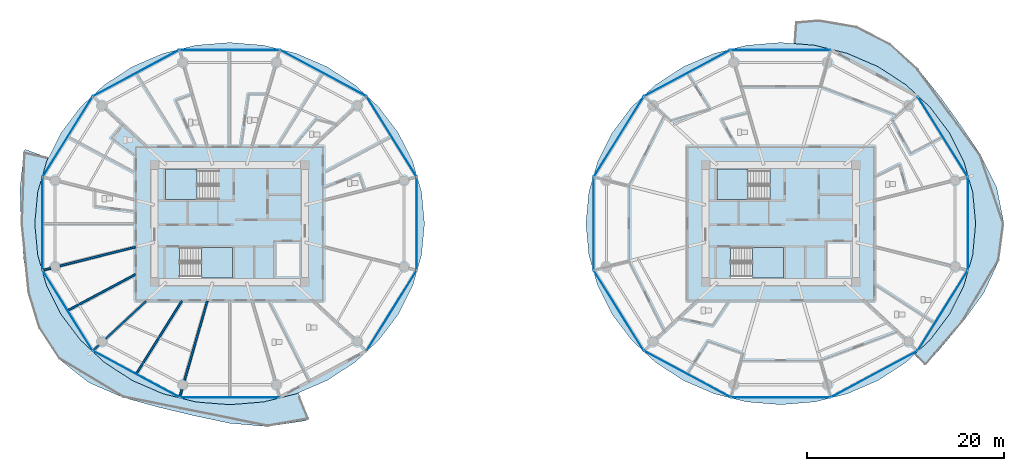
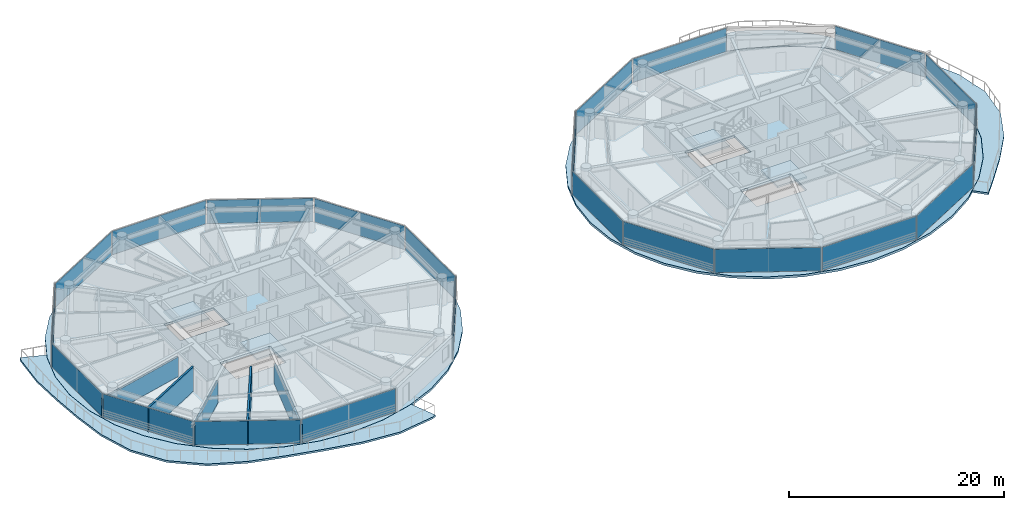
# One storey, part 14 of 31: 22 plates, 8 slabs, 5 walls, 26 elements without a shape of their own.
"""IFC4 building model written with IfcOpenShell, lengths in metres."""

import ifcopenshell
import ifcopenshell.guid

model = None  # the IFC model being written
_history = None  # IfcOwnerHistory: only IFC2X3 demands one
_inside = {}  # id of a spatial element -> (the spatial element, [elements in it])
_under = {}  # id of a project, library or spatial element -> (it, [spatial elements below it])
_declared = {}  # id of a project -> (the project, [libraries it declares])
_typed = {}  # id of a type object -> (the type object, [elements of that type])
_made_of = {}  # id of a material, layer set ... -> (it, [elements and type objects made of it])


def new_model(schema):
    """Start an empty IFC model of exactly this schema.

    Asked for "IFC4X3", IfcOpenShell would pick the latest addendum, in which some entities
    have other attributes; the version numbers below select the first issue.
    IFC2X3 requires an IfcOwnerHistory on every rooted entity: one is made here for all.
    """
    global model, _history
    if schema == "IFC4X3":
        model = ifcopenshell.file(schema_version=(4, 3, 0, 0))
    else:
        model = ifcopenshell.file(schema=schema)
    _inside.clear()
    _under.clear()
    _declared.clear()
    _typed.clear()
    _made_of.clear()
    _history = None
    if model.schema == "IFC2X3":
        org = make("IfcOrganization", Name="unknown")
        user = make(
            "IfcPersonAndOrganization",
            ThePerson=make("IfcPerson", FamilyName="unknown"),
            TheOrganization=org,
        )
        app = make(
            "IfcApplication",
            ApplicationDeveloper=org,
            Version="unknown",
            ApplicationFullName="unknown",
            ApplicationIdentifier="unknown",
        )
        _history = make(
            "IfcOwnerHistory",
            OwningUser=user,
            OwningApplication=app,
            ChangeAction="ADDED",
            CreationDate=0,
        )
    return model


def make(cls, **values):
    """One entity of the class cls with the attributes given. An attribute that is None is left unset."""
    return model.create_entity(
        cls, **{name: value for name, value in values.items() if value is not None}
    )


def rooted(cls, **values):
    """An entity with a GlobalId (a new one), such as an element, a storey or a relation."""
    return make(cls, GlobalId=ifcopenshell.guid.new(), OwnerHistory=_history, **values)


def si_unit(unit_type, name, prefix=None):
    """IfcSIUnit, for example si_unit("LENGTHUNIT", "METRE", prefix="MILLI")."""
    return make("IfcSIUnit", UnitType=unit_type, Prefix=prefix, Name=name)


def assignment(units):
    """IfcUnitAssignment: the units of a project."""
    return None if units is None else make("IfcUnitAssignment", Units=units)


def point(xyz):
    """IfcCartesianPoint."""
    return None if xyz is None else make("IfcCartesianPoint", Coordinates=xyz)


def direction(xyz):
    """IfcDirection."""
    return None if xyz is None else make("IfcDirection", DirectionRatios=xyz)


def frame(location, z_axis=None, x_axis=None):
    """IfcAxis2Placement3D, a coordinate frame: its origin and axes. An axis left out is left unset."""
    return make(
        "IfcAxis2Placement3D",
        Location=point(location),
        Axis=direction(z_axis),
        RefDirection=direction(x_axis),
    )


def frame_2d(location, x_axis=None):
    """IfcAxis2Placement2D, a coordinate frame in the plane: its origin and x axis."""
    return make(
        "IfcAxis2Placement2D", Location=point(location), RefDirection=direction(x_axis)
    )


def origin():
    """The frame at (0, 0, 0) with its axes left unset."""
    return frame((0.0, 0.0, 0.0))


def origin_2d():
    """The frame at (0, 0) in the plane with its x axis left unset."""
    return frame_2d((0.0, 0.0))


def place(relative_to, where):
    """IfcLocalPlacement: puts the frame where relative to a parent placement (None: the world)."""
    return make(
        "IfcLocalPlacement", PlacementRelTo=relative_to, RelativePlacement=where
    )


def context(
    kind, dimensions, precision=None, world=None, true_north=None, identifier=None
):
    """IfcGeometricRepresentationContext, for example the 3D "Model" context."""
    return make(
        "IfcGeometricRepresentationContext",
        ContextIdentifier=identifier,
        ContextType=kind,
        CoordinateSpaceDimension=dimensions,
        Precision=precision,
        WorldCoordinateSystem=world,
        TrueNorth=true_north,
    )


def subcontext(parent, identifier, kind, view, scale=None):
    """IfcGeometricRepresentationSubContext, for example "Body" below "Model"."""
    return make(
        "IfcGeometricRepresentationSubContext",
        ContextIdentifier=identifier,
        ContextType=kind,
        ParentContext=parent,
        TargetScale=scale,
        TargetView=view,
    )


def project(units=None, contexts=None):
    """IfcProject with its units and contexts."""
    return rooted(
        "IfcProject",
        Name="project",
        RepresentationContexts=contexts,
        UnitsInContext=assignment(units),
    )


def spatial(cls, under=None, at=None, **own):
    """A site, building, storey or space (cls), placed at a placement, below another one or the project."""
    s = rooted(cls, ObjectPlacement=at, **own)
    if under is not None:
        _under.setdefault(under.id(), (under, []))[1].append(s)
    return s


def polyline(points):
    """IfcPolyline through the points."""
    return make("IfcPolyline", Points=[point(p) for p in points])


def profile(cls, at=None, kind="AREA", **sizes):
    """A parametric profile (cls). Its sizes go by their IFC names, for example OverallWidth=200.0."""
    return make(cls, ProfileType=kind, Position=at, **sizes)


def rectangle(**sizes):
    """IfcRectangleProfileDef."""
    return profile("IfcRectangleProfileDef", **sizes)


def outline(outer, holes=None, kind="AREA"):
    """IfcArbitraryClosedProfileDef: a profile drawn as a closed curve; with holes, ...WithVoids."""
    if holes is None:
        return make("IfcArbitraryClosedProfileDef", ProfileType=kind, OuterCurve=outer)
    return make(
        "IfcArbitraryProfileDefWithVoids",
        ProfileType=kind,
        OuterCurve=outer,
        InnerCurves=holes,
    )


def extrude(swept, where, along, depth):
    """IfcExtrudedAreaSolid: the profile swept, set in the frame where, extruded along a direction by depth."""
    return make(
        "IfcExtrudedAreaSolid",
        SweptArea=swept,
        Position=where,
        ExtrudedDirection=direction(along),
        Depth=depth,
    )


def shape(context_of_items, identifier, shape_type, items):
    """IfcShapeRepresentation: the items that make up one representation, for example the "Body"."""
    return make(
        "IfcShapeRepresentation",
        ContextOfItems=context_of_items,
        RepresentationIdentifier=identifier,
        RepresentationType=shape_type,
        Items=items,
    )


def source(mapping_origin, context_of_items, identifier, shape_type, items):
    """IfcRepresentationMap: a shape defined once, which mapped items show again and again."""
    return make(
        "IfcRepresentationMap",
        MappingOrigin=mapping_origin,
        MappedRepresentation=shape(context_of_items, identifier, shape_type, items),
    )


def transform(
    local_origin,
    x_axis=None,
    y_axis=None,
    z_axis=None,
    scale=None,
    scale2=None,
    scale3=None,
    uniform=True,
):
    """IfcCartesianTransformationOperator3D, or its non-uniform kind. x_axis, y_axis, z_axis: its Axis1, 2, 3."""
    if uniform:
        return make(
            "IfcCartesianTransformationOperator3D",
            Axis1=direction(x_axis),
            Axis2=direction(y_axis),
            LocalOrigin=point(local_origin),
            Scale=scale,
            Axis3=direction(z_axis),
        )
    return make(
        "IfcCartesianTransformationOperator3DnonUniform",
        Axis1=direction(x_axis),
        Axis2=direction(y_axis),
        LocalOrigin=point(local_origin),
        Scale=scale,
        Axis3=direction(z_axis),
        Scale2=scale2,
        Scale3=scale3,
    )


def mapped(mapping_source, mapping_target):
    """IfcMappedItem: shows the shape of a source again, moved by a transform."""
    return make(
        "IfcMappedItem", MappingSource=mapping_source, MappingTarget=mapping_target
    )


def material(Name=None, Category=None):
    """IfcMaterial."""
    return make("IfcMaterial", Name=Name, Category=Category)


def layer(
    of_material, thickness, ventilated=None, Name=None, Category=None, Priority=None
):
    """IfcMaterialLayer: one layer of a wall or slab, of a material (None: an air gap)."""
    return make(
        "IfcMaterialLayer",
        Material=of_material,
        LayerThickness=thickness,
        IsVentilated=ventilated,
        Name=Name,
        Category=Category,
        Priority=Priority,
    )


def layer_set(layers, Name=None):
    """IfcMaterialLayerSet."""
    return make("IfcMaterialLayerSet", MaterialLayers=layers, LayerSetName=Name)


def made_of(thing, what):
    """Note that an element or type object is made of a material, layer set ...; save() writes the relation."""
    if what is not None:
        _made_of.setdefault(what.id(), (what, []))[1].append(thing)
    return thing


def type_object(cls, material=None, **own):
    """A type object (cls), such as IfcWallType, which elements share."""
    return made_of(rooted(cls, **own), material)


def type_shapes(of_type, sources):
    """Give a type object the sources (RepresentationMaps) that its elements show as mapped items."""
    of_type.RepresentationMaps = sources


def element(
    cls,
    number,
    at=None,
    inside=None,
    cuts=None,
    type_object=None,
    material=None,
    context=None,
    identifier="Body",
    shape_type=None,
    held_by="IfcProductDefinitionShape",
    body=None,
    shapes=None,
    **own,
):
    """One element of the class cls, such as IfcWall. Its Tag is "e" and its number.

    at: its placement. inside: the storey or other place that contains it. cuts: it is an
    opening in that element (IfcRelVoidsElement). A single representation is given by context,
    identifier, shape_type and body (its items); several are given by shapes. held_by: the class
    of the entity that holds the representations. save() writes the other relations.
    """
    e = rooted(cls, Tag="e%d" % number, ObjectPlacement=at, **own)
    if body is not None:
        shapes = [shape(context, identifier, shape_type, body)]
    if shapes is not None:
        e.Representation = make(held_by, Representations=shapes)
    if inside is not None:
        _inside.setdefault(inside.id(), (inside, []))[1].append(e)
    if cuts is not None:
        rooted(
            "IfcRelVoidsElement", RelatingBuildingElement=cuts, RelatedOpeningElement=e
        )
    if type_object is not None:
        _typed.setdefault(type_object.id(), (type_object, []))[1].append(e)
    return made_of(e, material)


def aggregate(whole, parts):
    """IfcRelAggregates: a whole, such as a stair, and the parts it consists of."""
    return rooted("IfcRelAggregates", RelatingObject=whole, RelatedObjects=parts)


def save(model, path):
    """Write the relations noted so far, then the file.

    IfcRelAggregates (storeys below a building ...), IfcRelContainedInSpatialStructure (elements
    in a storey), IfcRelDefinesByType, IfcRelAssociatesMaterial and IfcRelDeclares: one each for
    every whole, place, type object, material and project.
    """
    for whole, parts in _under.values():
        aggregate(whole, parts)
    for where, things in _inside.values():
        rooted(
            "IfcRelContainedInSpatialStructure",
            RelatedElements=things,
            RelatingStructure=where,
        )
    for kind, things in _typed.values():
        rooted("IfcRelDefinesByType", RelatedObjects=things, RelatingType=kind)
    for what, things in _made_of.values():
        rooted("IfcRelAssociatesMaterial", RelatedObjects=things, RelatingMaterial=what)
    for by, libraries in _declared.values():
        rooted("IfcRelDeclares", RelatingContext=by, RelatedDefinitions=libraries)
    model.write(path)


model = new_model("IFC4")

# Units and contexts
model_context = context("Model", 3, precision=1e-05, world=origin(), true_north=direction((0.0, 1.0)))
body_context = subcontext(model_context, "Body", "Model", "MODEL_VIEW")
ifc_project = project(units=[si_unit("LENGTHUNIT", "METRE"), si_unit("AREAUNIT", "SQUARE_METRE"), si_unit("VOLUMEUNIT", "CUBIC_METRE"), si_unit("PLANEANGLEUNIT", "RADIAN"), si_unit("MASSUNIT", "GRAM", prefix="KILO")], contexts=[model_context])

# Site, building, storey
site_placement = place(None, origin())
site = spatial("IfcSite", under=ifc_project, at=site_placement, CompositionType="ELEMENT")
building_placement = place(site_placement, origin())
building = spatial("IfcBuilding", under=site, at=building_placement, Name="Norrkilde Senior Care Towers", CompositionType="ELEMENT")
storey_placement = place(building_placement, frame((0.0, 0.0, 42.949951171875)))
storey = spatial("IfcBuildingStorey", under=building, at=storey_placement, Name="L12", CompositionType="ELEMENT", Elevation=42.949951171875)

# Slabs
ifc_material_1 = material(Name="Concrete C50/60", Category="concrete")
ifc_layer_1 = layer(ifc_material_1, 0.215087890625)
ifc_layer_set_1 = layer_set([ifc_layer_1], Name="Concrete C50/60")
slab_type_1 = type_object("IfcSlabType", Name="Sinusoidal Balcony Ribbon Slab 215", PredefinedType="FLOOR", material=ifc_layer_set_1)
slab_1_placement = place(storey_placement, frame((0.0, 0.0, -0.21484375)))
element("IfcSlab", 1, at=slab_1_placement, inside=storey, type_object=slab_type_1, Name="L12 Drum W Swirling Senior Balcony 1", PredefinedType="FLOOR", context=body_context, shape_type="SweptSolid", body=[
    extrude(outline(polyline([(-24.15185546875, -20.622802734375), (-28.0, -20.285400390625), (-31.665771484375, -19.50830078125), (-35.233642578125, -18.655029296875), (-38.828369140625, -17.665283203125), (-42.327392578125, -16.147216796875), (-45.31982421875, -13.7705078125), (-47.392822265625, -10.594970703125), (-48.484130859375, -7.02880859375), (-48.941162109375, -3.46875), (-49.18798828125, 0.0), (-49.3017578125, 3.537109375), (-48.92333984375, 7.200927734375), (-48.792236328125, 7.54833984375), (-46.414794921875, 6.685302734375), (-46.610595703125, 6.294921875), (-47.504150390625, 3.196044921875), (-47.804931640625, 0.0), (-47.504150390625, -3.196044921875), (-46.610595703125, -6.294921875), (-45.151611328125, -9.202392578125), (-43.171630859375, -11.83056640625), (-40.73046875, -14.09912109375), (-37.902587890625, -15.939208984375), (-34.773681640625, -17.294921875), (-31.439208984375, -18.12548828125), (-28.0, -18.405029296875), (-24.560791015625, -18.12548828125), (-21.226318359375, -17.294921875), (-21.016845703125, -17.204345703125), (-19.94189453125, -19.85302734375), (-20.30126953125, -20.0302734375), (-24.15185546875, -20.622802734375)])), origin(), (0.0, 0.0, 1.0), 0.21484375),
])
slab_2_placement = place(storey_placement, frame((0.0, 0.0, -0.21484375)))
element("IfcSlab", 2, at=slab_2_placement, inside=storey, type_object=slab_type_1, Name="L12 Drum E Swirling Senior Balcony 1", PredefinedType="FLOOR", context=body_context, shape_type="SweptSolid", body=[
    extrude(outline(polyline([(46.463134765625, -10.017578125), (44.17529296875, -12.737060546875), (42.705078125, -14.4013671875), (41.585205078125, -13.3046875), (43.171630859375, -11.83056640625), (45.151611328125, -9.202392578125), (46.610595703125, -6.294921875), (47.504150390625, -3.196044921875), (47.804931640625, 0.0), (47.504150390625, 3.196044921875), (46.610595703125, 6.294921875), (45.151611328125, 9.202392578125), (43.171630859375, 11.83056640625), (40.73046875, 14.09912109375), (37.902587890625, 15.939208984375), (34.773681640625, 17.294921875), (31.439208984375, 18.12548828125), (29.352783203125, 18.294921875), (29.51513671875, 20.4912109375), (31.85888671875, 20.6884765625), (35.700927734375, 20.037109375), (39.14990234375, 18.264404296875), (41.967529296875, 15.68603515625), (44.257080078125, 12.81103515625), (46.326171875, 9.932373046875), (48.314208984375, 6.962158203125), (49.9443359375, 3.6591796875), (50.68310546875, 0.0), (50.18701171875, -3.705078125), (48.60986328125, -7.077880859375), (46.463134765625, -10.017578125)])), origin(), (0.0, 0.0, 1.0), 0.21484375),
])

# Stair, slab
ifc_material_2 = material(Name="Concrete C45/55", Category="concrete")
stair_type = type_object("IfcStairType", Name="Core Protected Dogleg Stair Typical 3050", PredefinedType="HALF_TURN_STAIR", material=ifc_material_2)
stair_1_placement = place(storey_placement, origin())
stair_1 = element("IfcStair", 3, at=stair_1_placement, inside=storey, type_object=stair_type, Name="L12 Protected Core Stair W1", PredefinedType="HALF_TURN_STAIR")
ifc_layer_2 = layer(ifc_material_2, 0.199951171875)
ifc_layer_set_2 = layer_set([ifc_layer_2], Name="Concrete C45/55")
slab_type_2 = type_object("IfcSlabType", Name="Stair Landing Slab 200", PredefinedType="LANDING", material=ifc_layer_set_2)
slab_3_placement = place(storey_placement, frame((0.0, 0.0, 1.324951171875)))
slab_3 = element("IfcSlab", 4, at=slab_3_placement, type_object=slab_type_2, Name="ST-W1 landing 1", PredefinedType="LANDING", context=body_context, shape_type="SweptSolid", body=[
    extrude(outline(polyline([(-31.340087890625, 5.52490234375), (-34.5, 5.52490234375), (-34.5, 2.449951171875), (-31.340087890625, 2.449951171875), (-31.340087890625, 5.52490234375)])), origin(), (0.0, 0.0, 1.0), 0.2001953125),
])
aggregate(stair_1, [slab_3])

stair_2_placement = place(storey_placement, origin())
stair_2 = element("IfcStair", 5, at=stair_2_placement, inside=storey, type_object=stair_type, Name="L12 Protected Core Stair W2", PredefinedType="HALF_TURN_STAIR")
slab_4_placement = place(storey_placement, frame((0.0, 0.0, 1.324951171875)))
slab_4 = element("IfcSlab", 6, at=slab_4_placement, type_object=slab_type_2, Name="ST-W2 landing 1", PredefinedType="LANDING", context=body_context, shape_type="SweptSolid", body=[
    extrude(outline(polyline([(-30.860107421875, -5.52490234375), (-27.699951171875, -5.52490234375), (-27.699951171875, -2.449951171875), (-30.860107421875, -2.449951171875), (-30.860107421875, -5.52490234375)])), origin(), (0.0, 0.0, 1.0), 0.2001953125),
])
aggregate(stair_2, [slab_4])

stair_3_placement = place(storey_placement, origin())
stair_3 = element("IfcStair", 7, at=stair_3_placement, inside=storey, type_object=stair_type, Name="L12 Protected Core Stair E1", PredefinedType="HALF_TURN_STAIR")
slab_5_placement = place(storey_placement, frame((0.0, 0.0, 1.324951171875)))
slab_5 = element("IfcSlab", 8, at=slab_5_placement, type_object=slab_type_2, Name="ST-E1 landing 1", PredefinedType="LANDING", context=body_context, shape_type="SweptSolid", body=[
    extrude(outline(polyline([(24.659912109375, 5.52490234375), (21.5, 5.52490234375), (21.5, 2.449951171875), (24.659912109375, 2.449951171875), (24.659912109375, 5.52490234375)])), origin(), (0.0, 0.0, 1.0), 0.2001953125),
])
aggregate(stair_3, [slab_5])

stair_4_placement = place(storey_placement, origin())
stair_4 = element("IfcStair", 9, at=stair_4_placement, inside=storey, type_object=stair_type, Name="L12 Protected Core Stair E2", PredefinedType="HALF_TURN_STAIR")
slab_6_placement = place(storey_placement, frame((0.0, 0.0, 1.324951171875)))
slab_6 = element("IfcSlab", 10, at=slab_6_placement, type_object=slab_type_2, Name="ST-E2 landing 1", PredefinedType="LANDING", context=body_context, shape_type="SweptSolid", body=[
    extrude(outline(polyline([(25.139892578125, -5.52490234375), (28.300048828125, -5.52490234375), (28.300048828125, -2.449951171875), (25.139892578125, -2.449951171875), (25.139892578125, -5.52490234375)])), origin(), (0.0, 0.0, 1.0), 0.2001953125),
])
aggregate(stair_4, [slab_6])

# Slabs
ifc_layer_3 = layer(ifc_material_1, 0.260009765625)
ifc_layer_set_3 = layer_set([ifc_layer_3], Name="Concrete C50/60")
slab_type_3 = type_object("IfcSlabType", Name="Tower Care Floor Slab 260", PredefinedType="FLOOR", material=ifc_layer_set_3)
slab_7_placement = place(storey_placement, frame((0.0, 0.0, -0.260009765625)))
element("IfcSlab", 11, at=slab_7_placement, inside=storey, type_object=slab_type_3, Name="L12 Drum W Structural Floor Slab", PredefinedType="FLOOR", context=body_context, shape_type="SweptSolid", body=[
    extrude(outline(polyline([(-9.39404296875, -6.293212890625), (-10.852783203125, -9.199951171875), (-12.832275390625, -11.827392578125), (-15.272705078125, -14.09521484375), (-18.10009765625, -15.934814453125), (-21.22802734375, -17.290283203125), (-24.561767578125, -18.120361328125), (-28.0, -18.39990234375), (-31.438232421875, -18.120361328125), (-34.77197265625, -17.290283203125), (-37.89990234375, -15.934814453125), (-40.727294921875, -14.09521484375), (-43.167724609375, -11.827392578125), (-45.147216796875, -9.199951171875), (-46.60595703125, -6.293212890625), (-47.499267578125, -3.195068359375), (-47.800048828125, 0.0), (-47.499267578125, 3.195068359375), (-46.60595703125, 6.293212890625), (-45.147216796875, 9.199951171875), (-43.167724609375, 11.827392578125), (-40.727294921875, 14.09521484375), (-37.89990234375, 15.934814453125), (-34.77197265625, 17.290283203125), (-31.438232421875, 18.120361328125), (-28.0, 18.39990234375), (-24.561767578125, 18.120361328125), (-21.22802734375, 17.290283203125), (-18.10009765625, 15.934814453125), (-15.272705078125, 14.09521484375), (-12.832275390625, 11.827392578125), (-10.852783203125, 9.199951171875), (-9.39404296875, 6.293212890625), (-8.500732421875, 3.195068359375), (-8.199951171875, 0.0), (-8.500732421875, -3.195068359375), (-9.39404296875, -6.293212890625)]), holes=[polyline([(-34.48193359375, 2.468017578125), (-29.117919921875, 2.468017578125), (-29.117919921875, 5.52490234375), (-34.48193359375, 5.52490234375), (-34.48193359375, 2.468017578125)]), polyline([(-27.718017578125, -5.52490234375), (-27.718017578125, -2.468017578125), (-33.08203125, -2.468017578125), (-33.08203125, -5.52490234375), (-27.718017578125, -5.52490234375)])]), origin(), (0.0, 0.0, 1.0), 0.260009765625),
])
slab_8_placement = place(storey_placement, frame((0.0, 0.0, -0.260009765625)))
element("IfcSlab", 12, at=slab_8_placement, inside=storey, type_object=slab_type_3, Name="L12 Drum E Structural Floor Slab", PredefinedType="FLOOR", context=body_context, shape_type="SweptSolid", body=[
    extrude(outline(polyline([(46.60595703125, -6.293212890625), (45.147216796875, -9.199951171875), (43.167724609375, -11.827392578125), (40.727294921875, -14.09521484375), (37.89990234375, -15.934814453125), (34.77197265625, -17.290283203125), (31.438232421875, -18.120361328125), (28.0, -18.39990234375), (24.561767578125, -18.120361328125), (21.22802734375, -17.290283203125), (18.10009765625, -15.934814453125), (15.272705078125, -14.09521484375), (12.832275390625, -11.827392578125), (10.852783203125, -9.199951171875), (9.39404296875, -6.293212890625), (8.500732421875, -3.195068359375), (8.199951171875, 0.0), (8.500732421875, 3.195068359375), (9.39404296875, 6.293212890625), (10.852783203125, 9.199951171875), (12.832275390625, 11.827392578125), (15.272705078125, 14.09521484375), (18.10009765625, 15.934814453125), (21.22802734375, 17.290283203125), (24.561767578125, 18.120361328125), (28.0, 18.39990234375), (31.438232421875, 18.120361328125), (34.77197265625, 17.290283203125), (37.89990234375, 15.934814453125), (40.727294921875, 14.09521484375), (43.167724609375, 11.827392578125), (45.147216796875, 9.199951171875), (46.60595703125, 6.293212890625), (47.499267578125, 3.195068359375), (47.800048828125, 0.0), (47.499267578125, -3.195068359375), (46.60595703125, -6.293212890625)]), holes=[polyline([(21.51806640625, 2.468017578125), (26.882080078125, 2.468017578125), (26.882080078125, 5.52490234375), (21.51806640625, 5.52490234375), (21.51806640625, 2.468017578125)]), polyline([(28.281982421875, -5.52490234375), (28.281982421875, -2.468017578125), (22.91796875, -2.468017578125), (22.91796875, -5.52490234375), (28.281982421875, -5.52490234375)])]), origin(), (0.0, 0.0, 1.0), 0.260009765625),
])

# Curtain wall, plate
ifc_material_3 = material(Name="Triple Low-E Insulated Glazing", Category="glass")
ifc_layer_4 = layer(ifc_material_3, 0.199951171875)
ifc_layer_set_4 = layer_set([ifc_layer_4], Name="Triple Low-E Insulated Glazing")
curtain_wall_type = type_object("IfcCurtainWallType", Name="CW2 Zone 1 Memory Care Curtain Wall", PredefinedType="NOTDEFINED", material=ifc_layer_set_4)
curtain_wall_1_placement = place(storey_placement, origin())
curtain_wall_1 = element("IfcCurtainWall", 13, at=curtain_wall_1_placement, inside=storey, type_object=curtain_wall_type, Name="L12 Drum W Curtain Wall 00", PredefinedType="NOTDEFINED")
ifc_layer_5 = layer(ifc_material_3, 0.035888671875)
ifc_layer_set_5 = layer_set([ifc_layer_5], Name="Triple Low-E Insulated Glazing")
plate_type = type_object("IfcPlateType", Name="Triple Low-E Vision Curtain Panel 36", PredefinedType="CURTAIN_PANEL", material=ifc_layer_set_5)
shared_shape_1 = source(origin(), body_context, "Body", "SweptSolid", [
    extrude(rectangle(XDim=9.518798828125, YDim=0.035888671875, at=origin_2d()), origin(), (0.0, 0.0, 1.0), 2.669921875),
])
plate_1_placement = place(storey_placement, frame((-11.537353515625, 8.82861328125, 0.06005859375), z_axis=(0.0, 0.0, 1.0), x_axis=(0.527900951871, -0.849305943117, 0.0)))
plate_1 = element("IfcPlate", 14, at=plate_1_placement, type_object=plate_type, Name="CW-2 panel 1.1", PredefinedType="CURTAIN_PANEL", context=body_context, shape_type="MappedRepresentation", body=[
    mapped(shared_shape_1, transform((0.0, 0.0, 0.0), x_axis=(1.0, 0.0, 0.0), y_axis=(0.0, 1.0, 0.0), z_axis=(0.0, 0.0, 1.0), scale=1.0)),
])
aggregate(curtain_wall_1, [plate_1])

curtain_wall_2_placement = place(storey_placement, origin())
curtain_wall_2 = element("IfcCurtainWall", 15, at=curtain_wall_2_placement, inside=storey, type_object=curtain_wall_type, Name="L12 Drum W Curtain Wall 04", PredefinedType="NOTDEFINED")
plate_2_placement = place(storey_placement, frame((-44.462646484375, 8.82861328125, 0.06005859375), z_axis=(0.0, 0.0, 1.0), x_axis=(0.527900951871, 0.849305943117, 0.0)))
plate_2 = element("IfcPlate", 16, at=plate_2_placement, type_object=plate_type, Name="CW-2 panel 1.1", PredefinedType="CURTAIN_PANEL", context=body_context, shape_type="MappedRepresentation", body=[
    mapped(shared_shape_1, transform((0.0, 0.0, 0.0), x_axis=(1.0, 0.0, 0.0), y_axis=(0.0, 1.0, 0.0), z_axis=(0.0, 0.0, 1.0), scale=1.0)),
])
aggregate(curtain_wall_2, [plate_2])

curtain_wall_3_placement = place(storey_placement, origin())
curtain_wall_3 = element("IfcCurtainWall", 17, at=curtain_wall_3_placement, inside=storey, type_object=curtain_wall_type, Name="L12 Drum W Curtain Wall 06", PredefinedType="NOTDEFINED")
plate_3_placement = place(storey_placement, frame((-44.462646484375, -8.82861328125, 0.06005859375), z_axis=(0.0, 0.0, 1.0), x_axis=(-0.527900951871, 0.849305943117, 0.0)))
plate_3 = element("IfcPlate", 18, at=plate_3_placement, type_object=plate_type, Name="CW-2 panel 1.1", PredefinedType="CURTAIN_PANEL", context=body_context, shape_type="MappedRepresentation", body=[
    mapped(shared_shape_1, transform((0.0, 0.0, 0.0), x_axis=(1.0, 0.0, 0.0), y_axis=(0.0, 1.0, 0.0), z_axis=(0.0, 0.0, 1.0), scale=1.0)),
])
aggregate(curtain_wall_3, [plate_3])

curtain_wall_4_placement = place(storey_placement, origin())
curtain_wall_4 = element("IfcCurtainWall", 19, at=curtain_wall_4_placement, inside=storey, type_object=curtain_wall_type, Name="L12 Drum W Curtain Wall 10", PredefinedType="NOTDEFINED")
plate_4_placement = place(storey_placement, frame((-11.537353515625, -8.82861328125, 0.06005859375), z_axis=(0.0, 0.0, 1.0), x_axis=(-0.527900951871, -0.849305943117, 0.0)))
plate_4 = element("IfcPlate", 20, at=plate_4_placement, type_object=plate_type, Name="CW-2 panel 1.1", PredefinedType="CURTAIN_PANEL", context=body_context, shape_type="MappedRepresentation", body=[
    mapped(shared_shape_1, transform((0.0, 0.0, 0.0), x_axis=(1.0, 0.0, 0.0), y_axis=(0.0, 1.0, 0.0), z_axis=(0.0, 0.0, 1.0), scale=1.0)),
])
aggregate(curtain_wall_4, [plate_4])

curtain_wall_5_placement = place(storey_placement, origin())
curtain_wall_5 = element("IfcCurtainWall", 21, at=curtain_wall_5_placement, inside=storey, type_object=curtain_wall_type, Name="L12 Drum E Curtain Wall 00", PredefinedType="NOTDEFINED")
plate_5_placement = place(storey_placement, frame((44.462646484375, 8.82861328125, 0.06005859375), z_axis=(0.0, 0.0, 1.0), x_axis=(0.527900951871, -0.849305943117, 0.0)))
plate_5 = element("IfcPlate", 22, at=plate_5_placement, type_object=plate_type, Name="CW-2 panel 1.1", PredefinedType="CURTAIN_PANEL", context=body_context, shape_type="MappedRepresentation", body=[
    mapped(shared_shape_1, transform((0.0, 0.0, 0.0), x_axis=(1.0, 0.0, 0.0), y_axis=(0.0, 1.0, 0.0), z_axis=(0.0, 0.0, 1.0), scale=1.0)),
])
aggregate(curtain_wall_5, [plate_5])

curtain_wall_6_placement = place(storey_placement, origin())
curtain_wall_6 = element("IfcCurtainWall", 23, at=curtain_wall_6_placement, inside=storey, type_object=curtain_wall_type, Name="L12 Drum E Curtain Wall 04", PredefinedType="NOTDEFINED")
plate_6_placement = place(storey_placement, frame((11.537353515625, 8.82861328125, 0.06005859375), z_axis=(0.0, 0.0, 1.0), x_axis=(0.527900951871, 0.849305943117, 0.0)))
plate_6 = element("IfcPlate", 24, at=plate_6_placement, type_object=plate_type, Name="CW-2 panel 1.1", PredefinedType="CURTAIN_PANEL", context=body_context, shape_type="MappedRepresentation", body=[
    mapped(shared_shape_1, transform((0.0, 0.0, 0.0), x_axis=(1.0, 0.0, 0.0), y_axis=(0.0, 1.0, 0.0), z_axis=(0.0, 0.0, 1.0), scale=1.0)),
])
aggregate(curtain_wall_6, [plate_6])

curtain_wall_7_placement = place(storey_placement, origin())
curtain_wall_7 = element("IfcCurtainWall", 25, at=curtain_wall_7_placement, inside=storey, type_object=curtain_wall_type, Name="L12 Drum E Curtain Wall 06", PredefinedType="NOTDEFINED")
plate_7_placement = place(storey_placement, frame((11.537353515625, -8.82861328125, 0.06005859375), z_axis=(0.0, 0.0, 1.0), x_axis=(-0.527900951871, 0.849305943117, 0.0)))
plate_7 = element("IfcPlate", 26, at=plate_7_placement, type_object=plate_type, Name="CW-2 panel 1.1", PredefinedType="CURTAIN_PANEL", context=body_context, shape_type="MappedRepresentation", body=[
    mapped(shared_shape_1, transform((0.0, 0.0, 0.0), x_axis=(1.0, 0.0, 0.0), y_axis=(0.0, 1.0, 0.0), z_axis=(0.0, 0.0, 1.0), scale=1.0)),
])
aggregate(curtain_wall_7, [plate_7])

curtain_wall_8_placement = place(storey_placement, origin())
curtain_wall_8 = element("IfcCurtainWall", 27, at=curtain_wall_8_placement, inside=storey, type_object=curtain_wall_type, Name="L12 Drum E Curtain Wall 10", PredefinedType="NOTDEFINED")
plate_8_placement = place(storey_placement, frame((44.462646484375, -8.82861328125, 0.06005859375), z_axis=(0.0, 0.0, 1.0), x_axis=(-0.527900951871, -0.849305943117, 0.0)))
plate_8 = element("IfcPlate", 28, at=plate_8_placement, type_object=plate_type, Name="CW-2 panel 1.1", PredefinedType="CURTAIN_PANEL", context=body_context, shape_type="MappedRepresentation", body=[
    mapped(shared_shape_1, transform((0.0, 0.0, 0.0), x_axis=(1.0, 0.0, 0.0), y_axis=(0.0, 1.0, 0.0), z_axis=(0.0, 0.0, 1.0), scale=1.0)),
])
aggregate(curtain_wall_8, [plate_8])

curtain_wall_9_placement = place(storey_placement, origin())
curtain_wall_9 = element("IfcCurtainWall", 29, at=curtain_wall_9_placement, inside=storey, type_object=curtain_wall_type, Name="L12 Drum W Curtain Wall 01", PredefinedType="NOTDEFINED")
shared_shape_2 = source(origin(), body_context, "Body", "SweptSolid", [
    extrude(rectangle(XDim=9.880859375, YDim=0.035888671875, at=origin_2d()), origin(), (0.0, 0.0, 1.0), 2.669921875),
])
plate_9_placement = place(storey_placement, frame((-18.495361328125, 15.29150390625, 0.06005859375), z_axis=(0.0, 0.0, 1.0), x_axis=(0.881272866403, -0.472607802456, 0.0)))
plate_9 = element("IfcPlate", 30, at=plate_9_placement, type_object=plate_type, Name="CW-2 panel 1.1", PredefinedType="CURTAIN_PANEL", context=body_context, shape_type="MappedRepresentation", body=[
    mapped(shared_shape_2, transform((0.0, 0.0, 0.0), x_axis=(1.0, 0.0, 0.0), y_axis=(0.0, 1.0, 0.0), z_axis=(0.0, 0.0, 1.0), scale=1.0)),
])
aggregate(curtain_wall_9, [plate_9])

curtain_wall_10_placement = place(storey_placement, origin())
curtain_wall_10 = element("IfcCurtainWall", 31, at=curtain_wall_10_placement, inside=storey, type_object=curtain_wall_type, Name="L12 Drum W Curtain Wall 03", PredefinedType="NOTDEFINED")
plate_10_placement = place(storey_placement, frame((-37.504638671875, 15.29150390625, 0.06005859375), z_axis=(0.0, 0.0, 1.0), x_axis=(0.881272866403, 0.472607802456, 0.0)))
plate_10 = element("IfcPlate", 32, at=plate_10_placement, type_object=plate_type, Name="CW-2 panel 1.1", PredefinedType="CURTAIN_PANEL", context=body_context, shape_type="MappedRepresentation", body=[
    mapped(shared_shape_2, transform((0.0, 0.0, 0.0), x_axis=(1.0, 0.0, 0.0), y_axis=(0.0, 1.0, 0.0), z_axis=(0.0, 0.0, 1.0), scale=1.0)),
])
aggregate(curtain_wall_10, [plate_10])

curtain_wall_11_placement = place(storey_placement, origin())
curtain_wall_11 = element("IfcCurtainWall", 33, at=curtain_wall_11_placement, inside=storey, type_object=curtain_wall_type, Name="L12 Drum W Curtain Wall 07", PredefinedType="NOTDEFINED")
plate_11_placement = place(storey_placement, frame((-37.504638671875, -15.29150390625, 0.06005859375), z_axis=(0.0, 0.0, 1.0), x_axis=(-0.881272866403, 0.472607802456, 0.0)))
plate_11 = element("IfcPlate", 34, at=plate_11_placement, type_object=plate_type, Name="CW-2 panel 1.1", PredefinedType="CURTAIN_PANEL", context=body_context, shape_type="MappedRepresentation", body=[
    mapped(shared_shape_2, transform((0.0, 0.0, 0.0), x_axis=(1.0, 0.0, 0.0), y_axis=(0.0, 1.0, 0.0), z_axis=(0.0, 0.0, 1.0), scale=1.0)),
])
aggregate(curtain_wall_11, [plate_11])

curtain_wall_12_placement = place(storey_placement, origin())
curtain_wall_12 = element("IfcCurtainWall", 35, at=curtain_wall_12_placement, inside=storey, type_object=curtain_wall_type, Name="L12 Drum E Curtain Wall 03", PredefinedType="NOTDEFINED")
plate_12_placement = place(storey_placement, frame((18.495361328125, 15.29150390625, 0.06005859375), z_axis=(0.0, 0.0, 1.0), x_axis=(0.881272866403, 0.472607802456, 0.0)))
plate_12 = element("IfcPlate", 36, at=plate_12_placement, type_object=plate_type, Name="CW-2 panel 1.1", PredefinedType="CURTAIN_PANEL", context=body_context, shape_type="MappedRepresentation", body=[
    mapped(shared_shape_2, transform((0.0, 0.0, 0.0), x_axis=(1.0, 0.0, 0.0), y_axis=(0.0, 1.0, 0.0), z_axis=(0.0, 0.0, 1.0), scale=1.0)),
])
aggregate(curtain_wall_12, [plate_12])

curtain_wall_13_placement = place(storey_placement, origin())
curtain_wall_13 = element("IfcCurtainWall", 37, at=curtain_wall_13_placement, inside=storey, type_object=curtain_wall_type, Name="L12 Drum E Curtain Wall 07", PredefinedType="NOTDEFINED")
plate_13_placement = place(storey_placement, frame((18.495361328125, -15.29150390625, 0.06005859375), z_axis=(0.0, 0.0, 1.0), x_axis=(-0.881272866403, 0.472607802456, 0.0)))
plate_13 = element("IfcPlate", 38, at=plate_13_placement, type_object=plate_type, Name="CW-2 panel 1.1", PredefinedType="CURTAIN_PANEL", context=body_context, shape_type="MappedRepresentation", body=[
    mapped(shared_shape_2, transform((0.0, 0.0, 0.0), x_axis=(1.0, 0.0, 0.0), y_axis=(0.0, 1.0, 0.0), z_axis=(0.0, 0.0, 1.0), scale=1.0)),
])
aggregate(curtain_wall_13, [plate_13])

curtain_wall_14_placement = place(storey_placement, origin())
curtain_wall_14 = element("IfcCurtainWall", 39, at=curtain_wall_14_placement, inside=storey, type_object=curtain_wall_type, Name="L12 Drum E Curtain Wall 09", PredefinedType="NOTDEFINED")
plate_14_placement = place(storey_placement, frame((37.504638671875, -15.29150390625, 0.06005859375), z_axis=(0.0, 0.0, 1.0), x_axis=(-0.881272866403, -0.472607802456, 0.0)))
plate_14 = element("IfcPlate", 40, at=plate_14_placement, type_object=plate_type, Name="CW-2 panel 1.1", PredefinedType="CURTAIN_PANEL", context=body_context, shape_type="MappedRepresentation", body=[
    mapped(shared_shape_2, transform((0.0, 0.0, 0.0), x_axis=(1.0, 0.0, 0.0), y_axis=(0.0, 1.0, 0.0), z_axis=(0.0, 0.0, 1.0), scale=1.0)),
])
aggregate(curtain_wall_14, [plate_14])

curtain_wall_15_placement = place(storey_placement, origin())
curtain_wall_15 = element("IfcCurtainWall", 41, at=curtain_wall_15_placement, inside=storey, type_object=curtain_wall_type, Name="L12 Drum W Curtain Wall 05", PredefinedType="NOTDEFINED")
shared_shape_3 = source(origin(), body_context, "Body", "SweptSolid", [
    extrude(rectangle(XDim=9.33251953125, YDim=0.035888671875, at=origin_2d()), origin(), (0.0, 0.0, 1.0), 2.669921875),
])
plate_15_placement = place(storey_placement, frame((-47.009521484375, 0.0, 0.06005859375), z_axis=(0.0, 0.0, 1.0), x_axis=(0.0, 1.0, 0.0)))
plate_15 = element("IfcPlate", 42, at=plate_15_placement, type_object=plate_type, Name="CW-2 panel 1.1", PredefinedType="CURTAIN_PANEL", context=body_context, shape_type="MappedRepresentation", body=[
    mapped(shared_shape_3, transform((0.0, 0.0, 0.0), x_axis=(1.0, 0.0, 0.0), y_axis=(0.0, 1.0, 0.0), z_axis=(0.0, 0.0, 1.0), scale=1.0)),
])
aggregate(curtain_wall_15, [plate_15])

curtain_wall_16_placement = place(storey_placement, origin())
curtain_wall_16 = element("IfcCurtainWall", 43, at=curtain_wall_16_placement, inside=storey, type_object=curtain_wall_type, Name="L12 Drum W Curtain Wall 11", PredefinedType="NOTDEFINED")
plate_16_placement = place(storey_placement, frame((-8.990478515625, 0.0, 0.06005859375), z_axis=(0.0, 0.0, 1.0), x_axis=(0.0, -1.0, 0.0)))
plate_16 = element("IfcPlate", 44, at=plate_16_placement, type_object=plate_type, Name="CW-2 panel 1.1", PredefinedType="CURTAIN_PANEL", context=body_context, shape_type="MappedRepresentation", body=[
    mapped(shared_shape_3, transform((0.0, 0.0, 0.0), x_axis=(1.0, 0.0, 0.0), y_axis=(0.0, 1.0, 0.0), z_axis=(0.0, 0.0, 1.0), scale=1.0)),
])
aggregate(curtain_wall_16, [plate_16])

curtain_wall_17_placement = place(storey_placement, origin())
curtain_wall_17 = element("IfcCurtainWall", 45, at=curtain_wall_17_placement, inside=storey, type_object=curtain_wall_type, Name="L12 Drum E Curtain Wall 05", PredefinedType="NOTDEFINED")
plate_17_placement = place(storey_placement, frame((8.990478515625, 0.0, 0.06005859375), z_axis=(0.0, 0.0, 1.0), x_axis=(0.0, 1.0, 0.0)))
plate_17 = element("IfcPlate", 46, at=plate_17_placement, type_object=plate_type, Name="CW-2 panel 1.1", PredefinedType="CURTAIN_PANEL", context=body_context, shape_type="MappedRepresentation", body=[
    mapped(shared_shape_3, transform((0.0, 0.0, 0.0), x_axis=(1.0, 0.0, 0.0), y_axis=(0.0, 1.0, 0.0), z_axis=(0.0, 0.0, 1.0), scale=1.0)),
])
aggregate(curtain_wall_17, [plate_17])

curtain_wall_18_placement = place(storey_placement, origin())
curtain_wall_18 = element("IfcCurtainWall", 47, at=curtain_wall_18_placement, inside=storey, type_object=curtain_wall_type, Name="L12 Drum E Curtain Wall 11", PredefinedType="NOTDEFINED")
plate_18_placement = place(storey_placement, frame((47.009521484375, 0.0, 0.06005859375), z_axis=(0.0, 0.0, 1.0), x_axis=(0.0, -1.0, 0.0)))
plate_18 = element("IfcPlate", 48, at=plate_18_placement, type_object=plate_type, Name="CW-2 panel 1.1", PredefinedType="CURTAIN_PANEL", context=body_context, shape_type="MappedRepresentation", body=[
    mapped(shared_shape_3, transform((0.0, 0.0, 0.0), x_axis=(1.0, 0.0, 0.0), y_axis=(0.0, 1.0, 0.0), z_axis=(0.0, 0.0, 1.0), scale=1.0)),
])
aggregate(curtain_wall_18, [plate_18])

curtain_wall_19_placement = place(storey_placement, origin())
curtain_wall_19 = element("IfcCurtainWall", 49, at=curtain_wall_19_placement, inside=storey, type_object=curtain_wall_type, Name="L12 Drum W Curtain Wall 02", PredefinedType="NOTDEFINED")
shared_shape_4 = source(origin(), body_context, "Body", "SweptSolid", [
    extrude(rectangle(XDim=10.05712890625, YDim=0.035888671875, at=origin_2d()), origin(), (0.0, 0.0, 1.0), 2.669921875),
])
type_shapes(plate_type, [shared_shape_1, shared_shape_2, shared_shape_3, shared_shape_4])
plate_19_placement = place(storey_placement, frame((-28.0, 17.6572265625, 0.06005859375), z_axis=(0.0, 0.0, 1.0), x_axis=(1.0, 0.0, 0.0)))
plate_19 = element("IfcPlate", 50, at=plate_19_placement, type_object=plate_type, Name="CW-2 panel 1.1", PredefinedType="CURTAIN_PANEL", context=body_context, shape_type="MappedRepresentation", body=[
    mapped(shared_shape_4, transform((0.0, 0.0, 0.0), x_axis=(1.0, 0.0, 0.0), y_axis=(0.0, 1.0, 0.0), z_axis=(0.0, 0.0, 1.0), scale=1.0)),
])
aggregate(curtain_wall_19, [plate_19])

curtain_wall_20_placement = place(storey_placement, origin())
curtain_wall_20 = element("IfcCurtainWall", 51, at=curtain_wall_20_placement, inside=storey, type_object=curtain_wall_type, Name="L12 Drum W Curtain Wall 08", PredefinedType="NOTDEFINED")
plate_20_placement = place(storey_placement, frame((-28.0, -17.6572265625, 0.06005859375), z_axis=(0.0, 0.0, 1.0), x_axis=(-1.0, 0.0, 0.0)))
plate_20 = element("IfcPlate", 52, at=plate_20_placement, type_object=plate_type, Name="CW-2 panel 1.1", PredefinedType="CURTAIN_PANEL", context=body_context, shape_type="MappedRepresentation", body=[
    mapped(shared_shape_4, transform((0.0, 0.0, 0.0), x_axis=(1.0, 0.0, 0.0), y_axis=(0.0, 1.0, 0.0), z_axis=(0.0, 0.0, 1.0), scale=1.0)),
])
aggregate(curtain_wall_20, [plate_20])

curtain_wall_21_placement = place(storey_placement, origin())
curtain_wall_21 = element("IfcCurtainWall", 53, at=curtain_wall_21_placement, inside=storey, type_object=curtain_wall_type, Name="L12 Drum E Curtain Wall 02", PredefinedType="NOTDEFINED")
plate_21_placement = place(storey_placement, frame((28.0, 17.6572265625, 0.06005859375), z_axis=(0.0, 0.0, 1.0), x_axis=(1.0, 0.0, 0.0)))
plate_21 = element("IfcPlate", 54, at=plate_21_placement, type_object=plate_type, Name="CW-2 panel 1.1", PredefinedType="CURTAIN_PANEL", context=body_context, shape_type="MappedRepresentation", body=[
    mapped(shared_shape_4, transform((0.0, 0.0, 0.0), x_axis=(1.0, 0.0, 0.0), y_axis=(0.0, 1.0, 0.0), z_axis=(0.0, 0.0, 1.0), scale=1.0)),
])
aggregate(curtain_wall_21, [plate_21])

curtain_wall_22_placement = place(storey_placement, origin())
curtain_wall_22 = element("IfcCurtainWall", 55, at=curtain_wall_22_placement, inside=storey, type_object=curtain_wall_type, Name="L12 Drum E Curtain Wall 08", PredefinedType="NOTDEFINED")
plate_22_placement = place(storey_placement, frame((28.0, -17.6572265625, 0.06005859375), z_axis=(0.0, 0.0, 1.0), x_axis=(-1.0, 0.0, 0.0)))
plate_22 = element("IfcPlate", 56, at=plate_22_placement, type_object=plate_type, Name="CW-2 panel 1.1", PredefinedType="CURTAIN_PANEL", context=body_context, shape_type="MappedRepresentation", body=[
    mapped(shared_shape_4, transform((0.0, 0.0, 0.0), x_axis=(1.0, 0.0, 0.0), y_axis=(0.0, 1.0, 0.0), z_axis=(0.0, 0.0, 1.0), scale=1.0)),
])
aggregate(curtain_wall_22, [plate_22])

# Walls
ifc_material_4 = material(Name="Gypsum Acoustic Board")
ifc_layer_6 = layer(ifc_material_4, 0.18994140625)
ifc_layer_set_6 = layer_set([ifc_layer_6], Name="Gypsum Acoustic Board")
wall_type = type_object("IfcWallType", Name="Unit Demising Acoustic Wall 190", PredefinedType="PARTITIONING", material=ifc_layer_set_6)
shared_shape_5 = source(origin(), body_context, "Body", "SweptSolid", [
    extrude(rectangle(XDim=10.196044921875, YDim=0.18994140625, at=frame_2d((5.09814453125, 0.0))), origin(), (0.0, 0.0, 1.0), 2.22509765625),
])
wall_1_placement = place(storey_placement, frame((-30.27294921875, -7.8798828125, 0.0), z_axis=(0.0, 0.0, 1.0), x_axis=(-0.277136420347, -0.960830580549, 0.0)))
element("IfcWall", 57, at=wall_1_placement, inside=storey, type_object=wall_type, Name="WL-INT-L12-W-DEM-08-0", PredefinedType="PARTITIONING", context=body_context, shape_type="MappedRepresentation", body=[
    mapped(shared_shape_5, transform((0.0, 0.0, 0.0), x_axis=(1.0, 0.0, 0.0), y_axis=(0.0, 1.0, 0.0), z_axis=(0.0, 0.0, 1.0), scale=1.0)),
])
shared_shape_6 = source(origin(), body_context, "Body", "SweptSolid", [
    extrude(rectangle(XDim=9.737060546875, YDim=0.18994140625, at=frame_2d((4.86865234375, 0.0))), origin(), (0.0, 0.0, 1.0), 2.22509765625),
])
wall_2_placement = place(storey_placement, frame((-37.580078125, -2.384521484375, 0.0), z_axis=(0.0, 0.0, 1.0), x_axis=(-0.970392716238, -0.241532557375, 0.0)))
element("IfcWall", 58, at=wall_2_placement, inside=storey, type_object=wall_type, Name="WL-INT-L12-W-DEM-06-0", PredefinedType="PARTITIONING", context=body_context, shape_type="MappedRepresentation", body=[
    mapped(shared_shape_6, transform((0.0, 0.0, 0.0), x_axis=(1.0, 0.0, 0.0), y_axis=(0.0, 1.0, 0.0), z_axis=(0.0, 0.0, 1.0), scale=1.0)),
])
shared_shape_7 = source(origin(), body_context, "Body", "SweptSolid", [
    extrude(rectangle(XDim=7.4345703125, YDim=0.18994140625, at=frame_2d((3.71728515625, 0.0))), origin(), (0.0, 0.0, 1.0), 2.4150390625),
])
wall_3_placement = place(storey_placement, frame((-36.48291015625, -7.8798828125, 0.0), z_axis=(0.0, 0.0, 1.0), x_axis=(-0.732651956848, -0.680603489652, 0.0)))
element("IfcWall", 59, at=wall_3_placement, inside=storey, type_object=wall_type, Name="WL-INT-L12-W-DEM-07-0", PredefinedType="PARTITIONING", context=body_context, shape_type="MappedRepresentation", body=[
    mapped(shared_shape_7, transform((0.0, 0.0, 0.0), x_axis=(1.0, 0.0, 0.0), y_axis=(0.0, 1.0, 0.0), z_axis=(0.0, 0.0, 1.0), scale=1.0)),
])
shared_shape_8 = source(origin(), body_context, "Body", "SweptSolid", [
    extrude(rectangle(XDim=7.873291015625, YDim=0.18994140625, at=frame_2d((3.9365234375, 0.0))), origin(), (0.0, 0.0, 1.0), 2.775146484375),
])
wall_4_placement = place(storey_placement, frame((-37.530029296875, -5.1376953125, 0.0), z_axis=(0.0, 0.0, 1.0), x_axis=(-0.882666052726, -0.470000680175, 0.0)))
element("IfcWall", 60, at=wall_4_placement, inside=storey, type_object=wall_type, Name="WL-INT-L12-W-MID-06", PredefinedType="PARTITIONING", context=body_context, shape_type="MappedRepresentation", body=[
    mapped(shared_shape_8, transform((0.0, 0.0, 0.0), x_axis=(1.0, 0.0, 0.0), y_axis=(0.0, 1.0, 0.0), z_axis=(0.0, 0.0, 1.0), scale=1.0)),
])
shared_shape_9 = source(origin(), body_context, "Body", "SweptSolid", [
    extrude(rectangle(XDim=8.818359375, YDim=0.18994140625, at=frame_2d((4.4091796875, 0.0))), origin(), (0.0, 0.0, 1.0), 2.775146484375),
])
type_shapes(wall_type, [shared_shape_5, shared_shape_6, shared_shape_7, shared_shape_8, shared_shape_9])
wall_5_placement = place(storey_placement, frame((-32.84130859375, -7.830078125, 0.0), z_axis=(0.0, 0.0, 1.0), x_axis=(-0.529931746109, -0.848040296487, 0.0)))
element("IfcWall", 61, at=wall_5_placement, inside=storey, type_object=wall_type, Name="WL-INT-L12-W-MID-07", PredefinedType="PARTITIONING", context=body_context, shape_type="MappedRepresentation", body=[
    mapped(shared_shape_9, transform((0.0, 0.0, 0.0), x_axis=(1.0, 0.0, 0.0), y_axis=(0.0, 1.0, 0.0), z_axis=(0.0, 0.0, 1.0), scale=1.0)),
])

save(model, "model.ifc")
